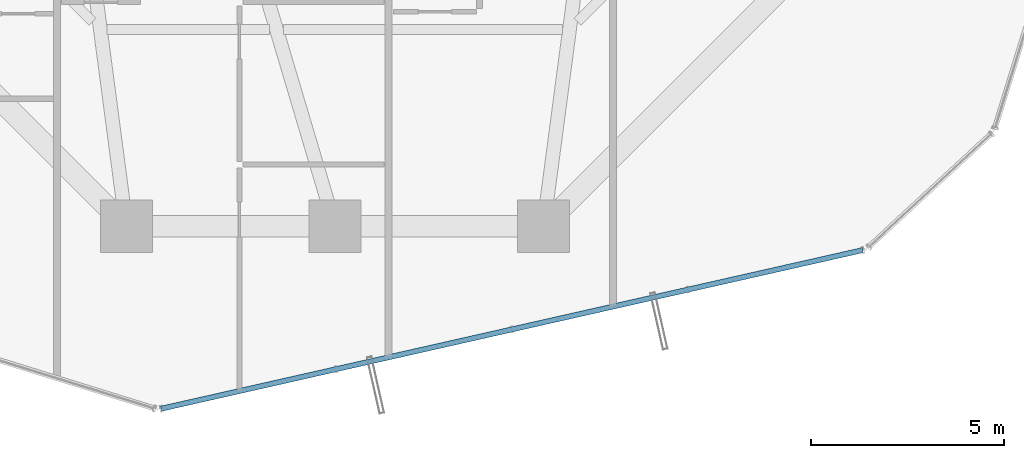
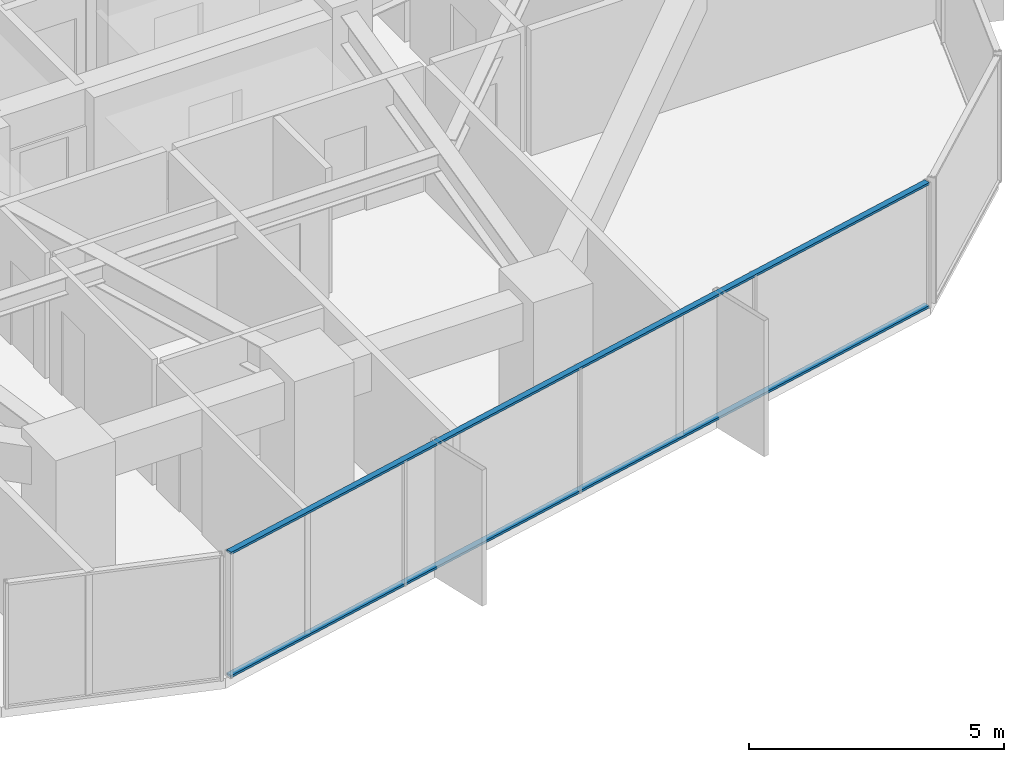
# One storey, part 7 of 39: 2 members, 1 element without a shape of its own.
"""IFC4 building model written with IfcOpenShell, lengths in metres."""

from ifc_helpers import new_model, si_unit, direction, frame, origin, origin_2d, place, context, subcontext, project, spatial, hollow_rectangle, extrude, source, transform, mapped, material, layer, layer_set, material_profile, profile_set, type_object, element, aggregate, save


model = new_model("IFC4")

# Units and contexts
model_context = context("Model", 3, precision=1e-05, world=origin(), true_north=direction((0.0, 1.0)))
body_context = subcontext(model_context, "Body", "Model", "MODEL_VIEW")
ifc_project = project(units=[si_unit("LENGTHUNIT", "METRE"), si_unit("AREAUNIT", "SQUARE_METRE"), si_unit("VOLUMEUNIT", "CUBIC_METRE"), si_unit("PLANEANGLEUNIT", "RADIAN"), si_unit("MASSUNIT", "GRAM", prefix="KILO")], contexts=[model_context])

# Site, building, storey
site_placement = place(None, origin())
site = spatial("IfcSite", under=ifc_project, at=site_placement, CompositionType="ELEMENT")
building_placement = place(site_placement, origin())
building = spatial("IfcBuilding", under=site, at=building_placement, Name="Veraguas Prism Commons", CompositionType="ELEMENT")
storey_placement = place(building_placement, frame((0.0, 0.0, 67.35009765625)))
storey = spatial("IfcBuildingStorey", under=building, at=storey_placement, Name="L18", CompositionType="ELEMENT", Elevation=67.35009765625)

# Curtain wall, members
ifc_material = material(Name="Anodised aluminium EN AW-6063 T6", Category="aluminium")
ifc_layer = layer(ifc_material, 0.169921875, Name="Unitised Flush Curtain Wall Zone 1", Category="aluminium")
ifc_layer_set = layer_set([ifc_layer], Name="Anodised aluminium EN AW-6063 T6")
curtain_wall_type = type_object("IfcCurtainWallType", Name="Unitised Flush Curtain Wall Zone 1", PredefinedType="NOTDEFINED", material=ifc_layer_set)
curtain_wall_placement = place(storey_placement, origin())
curtain_wall = element("IfcCurtainWall", 1, at=curtain_wall_placement, inside=storey, type_object=curtain_wall_type, Name="Tower Facade Curtain Wall L18-F5", PredefinedType="NOTDEFINED")
ifc_material_profile = material_profile(ifc_material, hollow_rectangle(XDim=0.054931640625, YDim=0.135009765625, WallThickness=0.0029296875, at=origin_2d()), Name="AL55X135X3")
ifc_profile_set = profile_set([ifc_material_profile], Name="Anodised aluminium EN AW-6063 T6")
member_type = type_object("IfcMemberType", Name="Curtain Wall Transom Standard AL 55x135x3", PredefinedType="USERDEFINED", material=ifc_profile_set)
shared_shape = source(origin(), body_context, "Body", "SweptSolid", [
    extrude(hollow_rectangle(XDim=0.054931640625, YDim=0.135009765625, WallThickness=0.0029296875, at=origin_2d()), origin(), (0.0, 0.0, 1.0), 18.623779296875),
])
member_1_placement = place(storey_placement, frame((19.5009765625, 1.673583984375, 0.02734375), z_axis=(0.975379364334, 0.220533660993, 0.0), x_axis=(0.0, 0.0, 1.0)))
member_1 = element("IfcMember", 2, at=member_1_placement, type_object=member_type, Name="CW-Z1 Transom 1", ObjectType="TRANSOM", PredefinedType="USERDEFINED", context=body_context, shape_type="MappedRepresentation", body=[
    mapped(shared_shape, transform((0.0, 0.0, 0.0), scale=1.0)),
])
member_2_placement = place(storey_placement, frame((19.5009765625, 1.673583984375, 2.972412109375), z_axis=(0.975379364334, 0.220533660993, 0.0), x_axis=(0.0, 0.0, 1.0)))
member_2 = element("IfcMember", 3, at=member_2_placement, type_object=member_type, Name="CW-Z1 Transom 2", ObjectType="TRANSOM", PredefinedType="USERDEFINED", context=body_context, shape_type="MappedRepresentation", body=[
    mapped(shared_shape, transform((0.0, 0.0, 0.0), scale=1.0)),
])
aggregate(curtain_wall, [member_1, member_2])

save(model, "model.ifc")
